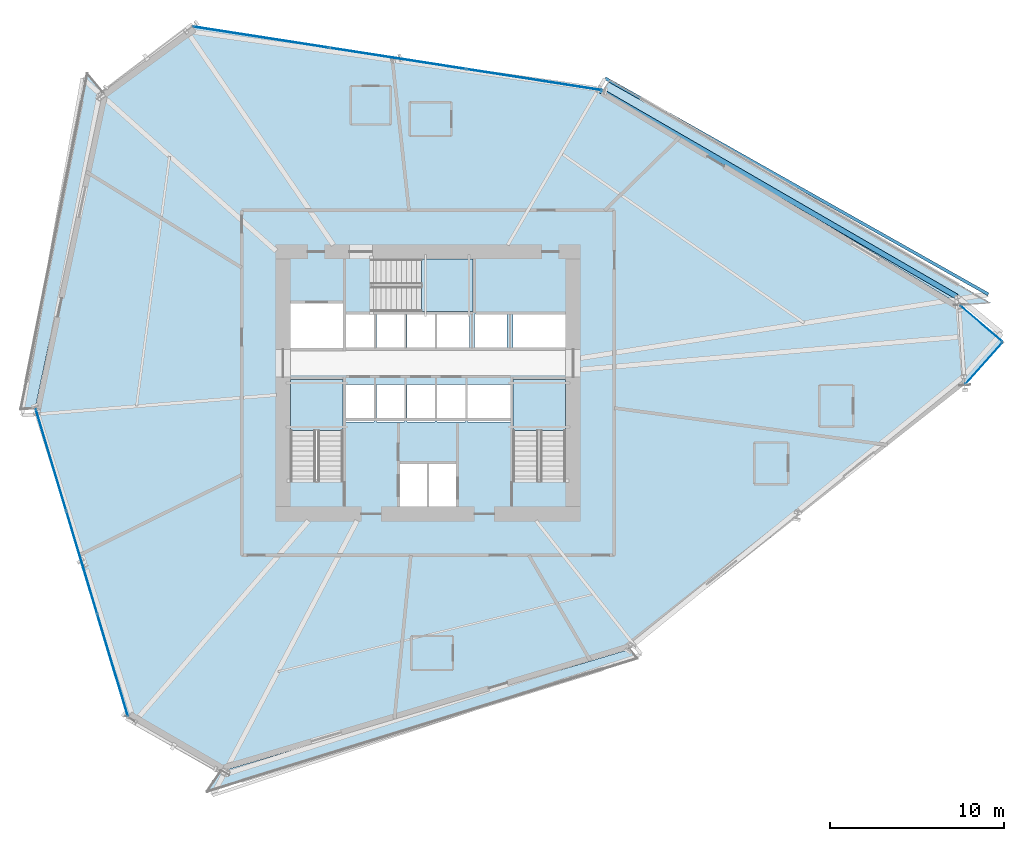
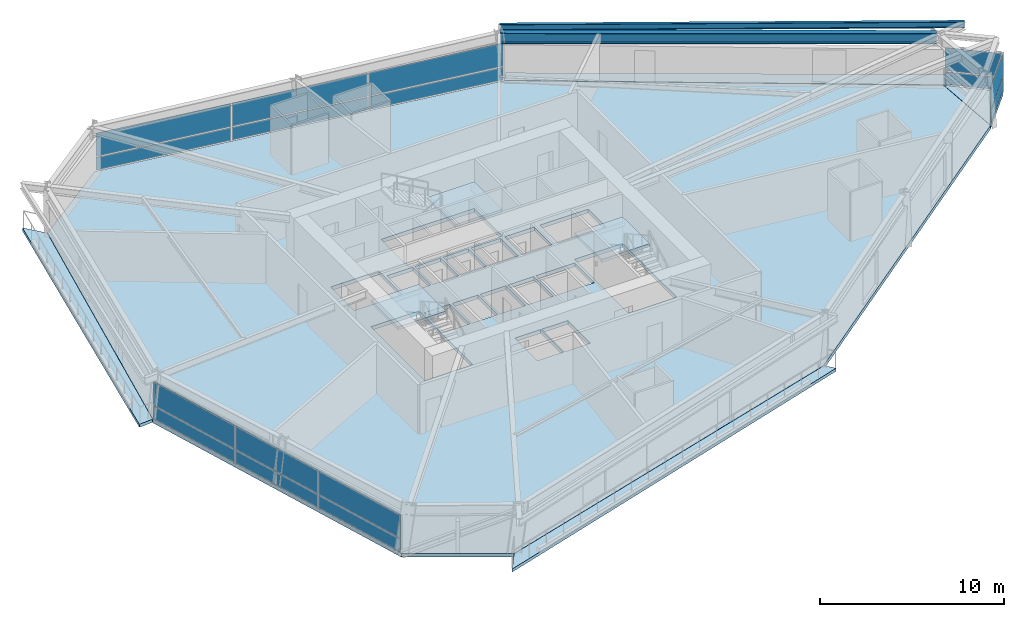
# One storey, part 13 of 22: 16 plates, 8 slabs, 2 beams, 7 elements without a shape of their own.
"""IFC4 building model written with IfcOpenShell, lengths in metres."""

from ifc_helpers import new_model, si_unit, direction, frame, origin, origin_2d, place, context, subcontext, project, spatial, polyline, rectangle, i_section, outline, extrude, source, transform, mapped, material, layer, layer_set, material_profile, profile_set, type_object, element, aggregate, save


model = new_model("IFC4")

# Units and contexts
model_context = context("Model", 3, precision=1e-05, world=origin(), true_north=direction((0.0, 1.0)))
body_context = subcontext(model_context, "Body", "Model", "MODEL_VIEW")
ifc_project = project(units=[si_unit("LENGTHUNIT", "METRE"), si_unit("AREAUNIT", "SQUARE_METRE"), si_unit("VOLUMEUNIT", "CUBIC_METRE"), si_unit("PLANEANGLEUNIT", "RADIAN"), si_unit("MASSUNIT", "GRAM", prefix="KILO")], contexts=[model_context])

# Site, building, storey
site_placement = place(None, origin())
site = spatial("IfcSite", under=ifc_project, at=site_placement, CompositionType="ELEMENT")
building_placement = place(site_placement, origin())
building = spatial("IfcBuilding", under=site, at=building_placement, Name="Olszyna Solenne Hotel", CompositionType="ELEMENT")
storey_placement = place(building_placement, frame((0.0, 0.0, 50.60009765625)))
storey = spatial("IfcBuildingStorey", under=building, at=storey_placement, Name="L12", CompositionType="ELEMENT", Elevation=50.60009765625)

# Beams
ifc_material_1 = material(Name="Steel S355J2", Category="steel")
ifc_material_profile_1 = material_profile(ifc_material_1, i_section(OverallWidth=0.300048828125, OverallDepth=0.699951171875, WebThickness=0.01708984375, FlangeThickness=0.031982421875, at=origin_2d()), Name="HEB 700", Category="load-bearing")
ifc_profile_set_1 = profile_set([ifc_material_profile_1], Name="Steel S355J2")
beam_type_1 = type_object("IfcBeamType", Name="BM-S1", PredefinedType="BEAM", material=ifc_profile_set_1)
shared_shape_1 = source(origin(), body_context, "Body", "SweptSolid", [
    extrude(i_section(OverallWidth=0.300048828125, OverallDepth=0.699951171875, WebThickness=0.01708984375, FlangeThickness=0.031982421875, at=origin_2d()), origin(), (0.0, 0.0, 1.0), 23.71435546875),
])
beam_1_placement = place(storey_placement, frame((68.32763671875, 31.55615234375, 2.949951171875), z_axis=(-0.865631794053, 0.500681133182, 0.0), x_axis=(-0.500681133182, -0.865631794053, 0.0)))
element("IfcBeam", 1, at=beam_1_placement, inside=storey, type_object=beam_type_1, Name="Perimeter spandrel beam BM-S1 B-L12-0378", PredefinedType="BEAM", context=body_context, shape_type="MappedRepresentation", body=[
    mapped(shared_shape_1, transform((0.0, 0.0, 0.0), x_axis=(1.0, 0.0, 0.0), y_axis=(0.0, 1.0, 0.0), z_axis=(0.0, 0.0, 1.0), scale=1.0)),
])
ifc_material_profile_2 = material_profile(ifc_material_1, i_section(OverallWidth=0.179931640625, OverallDepth=0.39990234375, WebThickness=0.008544921875, FlangeThickness=0.013427734375, at=origin_2d()), Name="IPE 400", Category="load-bearing")
ifc_profile_set_2 = profile_set([ifc_material_profile_2], Name="Steel S355J2")
beam_type_2 = type_object("IfcBeamType", Name="BM-F5", PredefinedType="BEAM", material=ifc_profile_set_2)
shared_shape_2 = source(origin(), body_context, "Body", "SweptSolid", [
    extrude(i_section(OverallWidth=0.179931640625, OverallDepth=0.39990234375, WebThickness=0.008544921875, FlangeThickness=0.013427734375, at=origin_2d()), origin(), (0.0, 0.0, 1.0), 25.252197265625),
])
beam_2_placement = place(storey_placement, frame((70.154052734375, 31.678955078125, 3.099853515625), z_axis=(-0.871043913507, 0.49120515138, 0.0), x_axis=(-0.49120515138, -0.871043913507, 0.0)))
element("IfcBeam", 2, at=beam_2_placement, inside=storey, type_object=beam_type_2, Name="Loggia outer edge beam BM-F5 B-L12-0403", PredefinedType="BEAM", context=body_context, shape_type="MappedRepresentation", body=[
    mapped(shared_shape_2, transform((0.0, 0.0, 0.0), x_axis=(1.0, 0.0, 0.0), y_axis=(0.0, 1.0, 0.0), z_axis=(0.0, 0.0, 1.0), scale=1.0)),
])

# Stair, slab
ifc_material_2 = material(Name="Concrete C40/50", Category="concrete")
stair_type = type_object("IfcStairType", Name="STR-C1", PredefinedType="TWO_QUARTER_WINDING_STAIR", material=ifc_material_2)
stair_1_placement = place(storey_placement, origin())
stair_1 = element("IfcStair", 3, at=stair_1_placement, inside=storey, type_object=stair_type, Name="L12 ST1", PredefinedType="TWO_QUARTER_WINDING_STAIR")
ifc_layer_1 = layer(ifc_material_2, 0.18994140625, Name="Concrete C40/50")
ifc_layer_set_1 = layer_set([ifc_layer_1], Name="Concrete C40/50")
slab_type_1 = type_object("IfcSlabType", Name="SL-LN190", PredefinedType="LANDING", material=ifc_layer_set_1)
slab_1_placement = place(storey_placement, frame((0.0, 0.0, 1.574951171875)))
slab_1 = element("IfcSlab", 4, at=slab_1_placement, type_object=slab_type_1, Name="ST1 landing 1", PredefinedType="LANDING", context=body_context, shape_type="SweptSolid", body=[
    extrude(outline(polyline([(33.1201171875, 23.85009765625), (33.1201171875, 26.800048828125), (30.10009765625, 26.800048828125), (30.10009765625, 23.85009765625), (33.1201171875, 23.85009765625)])), origin(), (0.0, 0.0, 1.0), 0.199951171875),
])
aggregate(stair_1, [slab_1])

stair_2_placement = place(storey_placement, origin())
stair_2 = element("IfcStair", 5, at=stair_2_placement, inside=storey, type_object=stair_type, Name="L12 ST2", PredefinedType="TWO_QUARTER_WINDING_STAIR")
slab_2_placement = place(storey_placement, frame((0.0, 0.0, 1.574951171875)))
slab_2 = element("IfcSlab", 6, at=slab_2_placement, type_object=slab_type_1, Name="ST2 landing 1", PredefinedType="LANDING", context=body_context, shape_type="SweptSolid", body=[
    extrude(outline(polyline([(45.89990234375, 23.85009765625), (45.89990234375, 26.800048828125), (42.8798828125, 26.800048828125), (42.8798828125, 23.85009765625), (45.89990234375, 23.85009765625)])), origin(), (0.0, 0.0, 1.0), 0.199951171875),
])
aggregate(stair_2, [slab_2])

stair_3_placement = place(storey_placement, origin())
stair_3 = element("IfcStair", 7, at=stair_3_placement, inside=storey, type_object=stair_type, Name="L12 ST3", PredefinedType="TWO_QUARTER_WINDING_STAIR")
slab_3_placement = place(storey_placement, frame((0.0, 0.0, 1.574951171875)))
slab_3 = element("IfcSlab", 8, at=slab_3_placement, type_object=slab_type_1, Name="ST3 landing 1", PredefinedType="LANDING", context=body_context, shape_type="SweptSolid", body=[
    extrude(outline(polyline([(37.6298828125, 30.679931640625), (40.580078125, 30.679931640625), (40.580078125, 33.699951171875), (37.6298828125, 33.699951171875), (37.6298828125, 30.679931640625)])), origin(), (0.0, 0.0, 1.0), 0.199951171875),
])
aggregate(stair_3, [slab_3])

# Slabs
ifc_material_3 = material(Name="Precast concrete C45/55", Category="concrete")
ifc_layer_2 = layer(ifc_material_3, 0.199951171875, Name="Precast concrete C45/55")
ifc_layer_set_2 = layer_set([ifc_layer_2], Name="Precast concrete C45/55")
slab_type_2 = type_object("IfcSlabType", Name="SL-LOG200", PredefinedType="FLOOR", material=ifc_layer_set_2)
slab_4_placement = place(storey_placement, frame((0.0, 0.0, -0.2001953125)))
element("IfcSlab", 9, at=slab_4_placement, inside=storey, type_object=slab_type_2, Name="Exterior loggia balcony slab SL-L12-LG1", PredefinedType="FLOOR", context=body_context, shape_type="SweptSolid", body=[
    extrude(outline(polyline([(48.05810546875, 43.39453125), (68.503662109375, 31.083740234375), (68.504638671875, 31.0830078125), (68.505615234375, 31.082275390625), (68.51708984375, 31.072265625), (70.2724609375, 31.19580078125), (48.469482421875, 43.999267578125), (48.05810546875, 43.39453125)])), origin(), (0.0, 0.0, 1.0), 0.2001953125),
])
slab_5_placement = place(storey_placement, frame((0.0, 0.0, -0.2001953125)))
element("IfcSlab", 10, at=slab_5_placement, inside=storey, type_object=slab_type_2, Name="Exterior loggia balcony slab SL-L12-LG2", PredefinedType="FLOOR", context=body_context, shape_type="SweptSolid", body=[
    extrude(outline(polyline([(15.457763671875, 25.1494140625), (15.457763671875, 25.150634765625), (15.457763671875, 25.152099609375), (15.4580078125, 25.15380859375), (19.314697265625, 43.29296875), (19.31494140625, 43.29443359375), (19.315673828125, 43.2958984375), (19.31640625, 43.29736328125), (19.317138671875, 43.298583984375), (19.318115234375, 43.2998046875), (19.319091796875, 43.30078125), (19.319580078125, 43.30126953125), (18.392822265625, 44.3994140625), (14.58447265625, 25.088134765625), (15.457763671875, 25.1494140625)])), origin(), (0.0, 0.0, 1.0), 0.2001953125),
])
slab_6_placement = place(storey_placement, frame((0.0, 0.0, -0.2001953125)))
element("IfcSlab", 11, at=slab_6_placement, inside=storey, type_object=slab_type_2, Name="Exterior loggia balcony slab SL-L12-LG3", PredefinedType="FLOOR", context=body_context, shape_type="SweptSolid", body=[
    extrude(outline(polyline([(49.58154296875, 11.30908203125), (49.581298828125, 11.30859375), (49.580078125, 11.307861328125), (49.578857421875, 11.30712890625), (49.577392578125, 11.306640625), (49.576171875, 11.30615234375), (26.113037109375, 4.299072265625), (26.111572265625, 4.298583984375), (26.110107421875, 4.298583984375), (26.1083984375, 4.29833984375), (26.10693359375, 4.298583984375), (26.10546875, 4.298828125), (26.10400390625, 4.29931640625), (26.1025390625, 4.2998046875), (26.101318359375, 4.30029296875), (26.10009765625, 4.301025390625), (25.2685546875, 3.0791015625), (50.0400390625, 10.765625), (49.58154296875, 11.30908203125)])), origin(), (0.0, 0.0, 1.0), 0.2001953125),
])
ifc_material_4 = material(Name="Concrete C50/60", Category="concrete")
ifc_layer_3 = layer(ifc_material_4, 0.25, Name="Concrete C50/60")
ifc_layer_set_3 = layer_set([ifc_layer_3], Name="Concrete C50/60")
slab_type_3 = type_object("IfcSlabType", Name="SL-TW250", PredefinedType="FLOOR", material=ifc_layer_set_3)
slab_7_placement = place(storey_placement, frame((0.0, 0.0, -0.25)))
element("IfcSlab", 12, at=slab_7_placement, inside=storey, type_object=slab_type_3, Name="Floor slab SL-TW250 SL-L12-01", PredefinedType="FLOOR", context=body_context, shape_type="SweptSolid", body=[
    extrude(outline(polyline([(68.79638671875, 26.487548828125), (68.495849609375, 31.07080078125), (48.049560546875, 43.382080078125), (24.46630859375, 47.0498046875), (19.329345703125, 43.289794921875), (15.47265625, 25.150634765625), (20.803466796875, 7.388671875), (26.108642578125, 4.3134765625), (49.572021484375, 11.320556640625), (68.79638671875, 26.487548828125)]), holes=[polyline([(30.10009765625, 20.949951171875), (33.1201171875, 20.949951171875), (33.1201171875, 26.800048828125), (30.10009765625, 26.800048828125), (30.10009765625, 20.949951171875)]), polyline([(42.8798828125, 20.949951171875), (45.89990234375, 20.949951171875), (45.89990234375, 26.800048828125), (42.8798828125, 26.800048828125), (42.8798828125, 20.949951171875)]), polyline([(34.72998046875, 30.679931640625), (40.580078125, 30.679931640625), (40.580078125, 33.699951171875), (34.72998046875, 33.699951171875), (34.72998046875, 30.679931640625)]), polyline([(36.340087890625, 19.5), (37.9599609375, 19.5), (37.9599609375, 21.9599609375), (36.340087890625, 21.9599609375), (36.340087890625, 19.5)]), polyline([(38.0400390625, 19.5), (39.659912109375, 19.5), (39.659912109375, 21.9599609375), (38.0400390625, 21.9599609375), (38.0400390625, 19.5)]), polyline([(30.10009765625, 28.60009765625), (33.1201171875, 28.60009765625), (33.1201171875, 31.159912109375), (30.10009765625, 31.159912109375), (30.10009765625, 28.60009765625)]), polyline([(33.280029296875, 24.360107421875), (34.89990234375, 24.360107421875), (34.89990234375, 26.5), (33.280029296875, 26.5), (33.280029296875, 24.360107421875)]), polyline([(35.030029296875, 24.360107421875), (36.64990234375, 24.360107421875), (36.64990234375, 26.5), (35.030029296875, 26.5), (35.030029296875, 24.360107421875)]), polyline([(36.780029296875, 24.360107421875), (38.39990234375, 24.360107421875), (38.39990234375, 26.5), (36.780029296875, 26.5), (36.780029296875, 24.360107421875)]), polyline([(38.530029296875, 24.360107421875), (40.14990234375, 24.360107421875), (40.14990234375, 26.5), (38.530029296875, 26.5), (38.530029296875, 24.360107421875)]), polyline([(40.280029296875, 24.360107421875), (42.719970703125, 24.360107421875), (42.719970703125, 26.5), (40.280029296875, 26.5), (40.280029296875, 24.360107421875)]), polyline([(33.280029296875, 28.60009765625), (34.89990234375, 28.60009765625), (34.89990234375, 30.550048828125), (33.280029296875, 30.550048828125), (33.280029296875, 28.60009765625)]), polyline([(35.030029296875, 28.60009765625), (36.64990234375, 28.60009765625), (36.64990234375, 30.550048828125), (35.030029296875, 30.550048828125), (35.030029296875, 28.60009765625)]), polyline([(36.780029296875, 28.60009765625), (38.39990234375, 28.60009765625), (38.39990234375, 30.550048828125), (36.780029296875, 30.550048828125), (36.780029296875, 28.60009765625)]), polyline([(38.530029296875, 28.60009765625), (40.389892578125, 28.60009765625), (40.389892578125, 30.550048828125), (38.530029296875, 30.550048828125), (38.530029296875, 28.60009765625)]), polyline([(40.659912109375, 28.60009765625), (42.52001953125, 28.60009765625), (42.52001953125, 30.550048828125), (40.659912109375, 30.550048828125), (40.659912109375, 28.60009765625)]), polyline([(42.8798828125, 28.60009765625), (45.89990234375, 28.60009765625), (45.89990234375, 30.550048828125), (42.8798828125, 30.550048828125), (42.8798828125, 28.60009765625)])]), origin(), (0.0, 0.0, 1.0), 0.25),
])
slab_8_placement = place(storey_placement, frame((0.0, 0.0, -0.25)))
element("IfcSlab", 13, at=slab_8_placement, inside=storey, type_object=slab_type_3, Name="Faceted glass-prism floor slab SL-L12-PR", PredefinedType="FLOOR", context=body_context, shape_type="SweptSolid", body=[
    extrude(outline(polyline([(68.506591796875, 31.061767578125), (68.8056640625, 26.497802734375), (70.9912109375, 28.932861328125), (68.506591796875, 31.061767578125)])), origin(), (0.0, 0.0, 1.0), 0.25),
])

# Curtain wall, plates
ifc_material_5 = material(Name="Anodised bronze aluminium", Category="aluminium")
curtain_wall_type_1 = type_object("IfcCurtainWallType", Name="CW-SYS-2", PredefinedType="NOTDEFINED", material=ifc_material_5)
curtain_wall_1_placement = place(storey_placement, origin())
curtain_wall_1 = element("IfcCurtainWall", 14, at=curtain_wall_1_placement, inside=storey, type_object=curtain_wall_type_1, Name="Unitised curtain wall CW-SYS-2 CW-L12-01", PredefinedType="NOTDEFINED")
ifc_material_6 = material(Name="Terracotta cladding", Category="masonry")
plate_type_1 = type_object("IfcPlateType", Name="PN-SP1", PredefinedType="CURTAIN_PANEL", material=ifc_material_6)
shared_shape_3 = source(origin(), body_context, "Body", "SweptSolid", [
    extrude(rectangle(XDim=6.069091796875, YDim=0.035888671875, at=origin_2d()), origin(), (0.0, 0.0, 1.0), 0.83740234375),
])
plate_1_placement = place(storey_placement, frame((16.366455078125, 22.17236328125, 0.074951171875), z_axis=(0.0, 0.0, 1.0), x_axis=(0.287458205291, -0.957793182379, 0.0)))
plate_1 = element("IfcPlate", 15, at=plate_1_placement, type_object=plate_type_1, Name="Curtain-wall panel PN-SP1 CP-L12-01-01", PredefinedType="CURTAIN_PANEL", context=body_context, shape_type="MappedRepresentation", body=[
    mapped(shared_shape_3, transform((0.0, 0.0, 0.0), x_axis=(1.0, 0.0, 0.0), y_axis=(0.0, 1.0, 0.0), z_axis=(0.0, 0.0, 1.0), scale=1.0)),
])
plate_2_placement = place(storey_placement, frame((19.90966796875, 10.366943359375, 0.074951171875), z_axis=(0.0, 0.0, 1.0), x_axis=(0.287458205291, -0.957793182379, 0.0)))
plate_2 = element("IfcPlate", 16, at=plate_2_placement, type_object=plate_type_1, Name="Curtain-wall panel PN-SP1 CP-L12-01-05", PredefinedType="CURTAIN_PANEL", context=body_context, shape_type="MappedRepresentation", body=[
    mapped(shared_shape_3, transform((0.0, 0.0, 0.0), x_axis=(1.0, 0.0, 0.0), y_axis=(0.0, 1.0, 0.0), z_axis=(0.0, 0.0, 1.0), scale=1.0)),
])
ifc_material_7 = material(Name="Low-E triple glazing", Category="glass")
plate_type_2 = type_object("IfcPlateType", Name="PN-GL1", PredefinedType="CURTAIN_PANEL", material=ifc_material_7)
shared_shape_4 = source(origin(), body_context, "Body", "SweptSolid", [
    extrude(rectangle(XDim=6.069091796875, YDim=0.035888671875, at=origin_2d()), origin(), (0.0, 0.0, 1.0), 1.529541015625),
])
plate_3_placement = place(storey_placement, frame((16.366455078125, 22.17236328125, 0.9873046875), z_axis=(0.0, 0.0, 1.0), x_axis=(0.287458205291, -0.957793182379, 0.0)))
plate_3 = element("IfcPlate", 17, at=plate_3_placement, type_object=plate_type_2, Name="Curtain-wall panel PN-GL1 CP-L12-01-02", PredefinedType="CURTAIN_PANEL", context=body_context, shape_type="MappedRepresentation", body=[
    mapped(shared_shape_4, transform((0.0, 0.0, 0.0), x_axis=(1.0, 0.0, 0.0), y_axis=(0.0, 1.0, 0.0), z_axis=(0.0, 0.0, 1.0), scale=1.0)),
])
plate_4_placement = place(storey_placement, frame((19.90966796875, 10.366943359375, 0.9873046875), z_axis=(0.0, 0.0, 1.0), x_axis=(0.287458205291, -0.957793182379, 0.0)))
plate_4 = element("IfcPlate", 18, at=plate_4_placement, type_object=plate_type_2, Name="Curtain-wall panel PN-GL1 CP-L12-01-06", PredefinedType="CURTAIN_PANEL", context=body_context, shape_type="MappedRepresentation", body=[
    mapped(shared_shape_4, transform((0.0, 0.0, 0.0), x_axis=(1.0, 0.0, 0.0), y_axis=(0.0, 1.0, 0.0), z_axis=(0.0, 0.0, 1.0), scale=1.0)),
])
shared_shape_5 = source(origin(), body_context, "Body", "SweptSolid", [
    extrude(rectangle(XDim=6.1064453125, YDim=0.035888671875, at=origin_2d()), origin(), (0.0, 0.0, 1.0), 0.83740234375),
])
plate_5_placement = place(storey_placement, frame((18.13818359375, 16.26953125, 0.074951171875), z_axis=(0.0, 0.0, 1.0), x_axis=(0.287458205291, -0.957793182379, 0.0)))
plate_5 = element("IfcPlate", 19, at=plate_5_placement, type_object=plate_type_1, Name="Curtain-wall panel PN-SP1 CP-L12-01-03", PredefinedType="CURTAIN_PANEL", context=body_context, shape_type="MappedRepresentation", body=[
    mapped(shared_shape_5, transform((0.0, 0.0, 0.0), x_axis=(1.0, 0.0, 0.0), y_axis=(0.0, 1.0, 0.0), z_axis=(0.0, 0.0, 1.0), scale=1.0)),
])
shared_shape_6 = source(origin(), body_context, "Body", "SweptSolid", [
    extrude(rectangle(XDim=6.1064453125, YDim=0.035888671875, at=origin_2d()), origin(), (0.0, 0.0, 1.0), 1.529541015625),
])
plate_6_placement = place(storey_placement, frame((18.13818359375, 16.26953125, 0.9873046875), z_axis=(0.0, 0.0, 1.0), x_axis=(0.287458205291, -0.957793182379, 0.0)))
plate_6 = element("IfcPlate", 20, at=plate_6_placement, type_object=plate_type_2, Name="Curtain-wall panel PN-GL1 CP-L12-01-04", PredefinedType="CURTAIN_PANEL", context=body_context, shape_type="MappedRepresentation", body=[
    mapped(shared_shape_6, transform((0.0, 0.0, 0.0), x_axis=(1.0, 0.0, 0.0), y_axis=(0.0, 1.0, 0.0), z_axis=(0.0, 0.0, 1.0), scale=1.0)),
])
aggregate(curtain_wall_1, [plate_1, plate_3, plate_5, plate_6, plate_2, plate_4])

curtain_wall_2_placement = place(storey_placement, origin())
curtain_wall_2 = element("IfcCurtainWall", 21, at=curtain_wall_2_placement, inside=storey, type_object=curtain_wall_type_1, Name="Unitised curtain wall CW-SYS-2 CW-L12-02", PredefinedType="NOTDEFINED")
shared_shape_7 = source(origin(), body_context, "Body", "SweptSolid", [
    extrude(rectangle(XDim=7.843017578125, YDim=0.035888671875, at=origin_2d()), origin(), (0.0, 0.0, 1.0), 0.83740234375),
])
plate_7_placement = place(storey_placement, frame((28.415283203125, 46.435546875, 0.074951171875), z_axis=(0.0, 0.0, 1.0), x_axis=(0.98812164418, -0.15367373329, 0.0)))
plate_7 = element("IfcPlate", 22, at=plate_7_placement, type_object=plate_type_1, Name="Curtain-wall panel PN-SP1 CP-L12-02-01", PredefinedType="CURTAIN_PANEL", context=body_context, shape_type="MappedRepresentation", body=[
    mapped(shared_shape_7, transform((0.0, 0.0, 0.0), x_axis=(1.0, 0.0, 0.0), y_axis=(0.0, 1.0, 0.0), z_axis=(0.0, 0.0, 1.0), scale=1.0)),
])
plate_8_placement = place(storey_placement, frame((44.100341796875, 43.996337890625, 0.074951171875), z_axis=(0.0, 0.0, 1.0), x_axis=(0.98812164418, -0.15367373329, 0.0)))
plate_8 = element("IfcPlate", 23, at=plate_8_placement, type_object=plate_type_1, Name="Curtain-wall panel PN-SP1 CP-L12-02-05", PredefinedType="CURTAIN_PANEL", context=body_context, shape_type="MappedRepresentation", body=[
    mapped(shared_shape_7, transform((0.0, 0.0, 0.0), x_axis=(1.0, 0.0, 0.0), y_axis=(0.0, 1.0, 0.0), z_axis=(0.0, 0.0, 1.0), scale=1.0)),
])
shared_shape_8 = source(origin(), body_context, "Body", "SweptSolid", [
    extrude(rectangle(XDim=7.843017578125, YDim=0.035888671875, at=origin_2d()), origin(), (0.0, 0.0, 1.0), 1.529541015625),
])
plate_9_placement = place(storey_placement, frame((28.415283203125, 46.435546875, 0.9873046875), z_axis=(0.0, 0.0, 1.0), x_axis=(0.98812164418, -0.15367373329, 0.0)))
plate_9 = element("IfcPlate", 24, at=plate_9_placement, type_object=plate_type_2, Name="Curtain-wall panel PN-GL1 CP-L12-02-02", PredefinedType="CURTAIN_PANEL", context=body_context, shape_type="MappedRepresentation", body=[
    mapped(shared_shape_8, transform((0.0, 0.0, 0.0), x_axis=(1.0, 0.0, 0.0), y_axis=(0.0, 1.0, 0.0), z_axis=(0.0, 0.0, 1.0), scale=1.0)),
])
plate_10_placement = place(storey_placement, frame((44.100341796875, 43.996337890625, 0.9873046875), z_axis=(0.0, 0.0, 1.0), x_axis=(0.98812164418, -0.15367373329, 0.0)))
plate_10 = element("IfcPlate", 25, at=plate_10_placement, type_object=plate_type_2, Name="Curtain-wall panel PN-GL1 CP-L12-02-06", PredefinedType="CURTAIN_PANEL", context=body_context, shape_type="MappedRepresentation", body=[
    mapped(shared_shape_8, transform((0.0, 0.0, 0.0), x_axis=(1.0, 0.0, 0.0), y_axis=(0.0, 1.0, 0.0), z_axis=(0.0, 0.0, 1.0), scale=1.0)),
])
shared_shape_9 = source(origin(), body_context, "Body", "SweptSolid", [
    extrude(rectangle(XDim=7.880615234375, YDim=0.035888671875, at=origin_2d()), origin(), (0.0, 0.0, 1.0), 0.83740234375),
])
plate_11_placement = place(storey_placement, frame((36.2578125, 45.216064453125, 0.074951171875), z_axis=(0.0, 0.0, 1.0), x_axis=(0.98812164418, -0.15367373329, 0.0)))
plate_11 = element("IfcPlate", 26, at=plate_11_placement, type_object=plate_type_1, Name="Curtain-wall panel PN-SP1 CP-L12-02-03", PredefinedType="CURTAIN_PANEL", context=body_context, shape_type="MappedRepresentation", body=[
    mapped(shared_shape_9, transform((0.0, 0.0, 0.0), x_axis=(1.0, 0.0, 0.0), y_axis=(0.0, 1.0, 0.0), z_axis=(0.0, 0.0, 1.0), scale=1.0)),
])
shared_shape_10 = source(origin(), body_context, "Body", "SweptSolid", [
    extrude(rectangle(XDim=7.880615234375, YDim=0.035888671875, at=origin_2d()), origin(), (0.0, 0.0, 1.0), 1.529541015625),
])
plate_12_placement = place(storey_placement, frame((36.2578125, 45.216064453125, 0.9873046875), z_axis=(0.0, 0.0, 1.0), x_axis=(0.98812164418, -0.15367373329, 0.0)))
plate_12 = element("IfcPlate", 27, at=plate_12_placement, type_object=plate_type_2, Name="Curtain-wall panel PN-GL1 CP-L12-02-04", PredefinedType="CURTAIN_PANEL", context=body_context, shape_type="MappedRepresentation", body=[
    mapped(shared_shape_10, transform((0.0, 0.0, 0.0), x_axis=(1.0, 0.0, 0.0), y_axis=(0.0, 1.0, 0.0), z_axis=(0.0, 0.0, 1.0), scale=1.0)),
])
aggregate(curtain_wall_2, [plate_7, plate_9, plate_11, plate_12, plate_8, plate_10])

# Curtain wall, plate
curtain_wall_type_2 = type_object("IfcCurtainWallType", Name="CW-SYS-5", PredefinedType="NOTDEFINED", material=ifc_material_5)
curtain_wall_3_placement = place(storey_placement, origin())
curtain_wall_3 = element("IfcCurtainWall", 28, at=curtain_wall_3_placement, inside=storey, type_object=curtain_wall_type_2, Name="Unitised curtain wall CW-SYS-5 CW-L12-03", PredefinedType="NOTDEFINED")
plate_type_3 = type_object("IfcPlateType", Name="PN-PR1", PredefinedType="CURTAIN_PANEL", material=ifc_material_7)
shared_shape_11 = source(origin(), body_context, "Body", "SweptSolid", [
    extrude(rectangle(XDim=3.1357421875, YDim=0.028076171875, at=origin_2d()), origin(), (0.0, 0.0, 1.0), 0.83740234375),
])
plate_13_placement = place(storey_placement, frame((69.743408203125, 30.001953125, 0.074951171875), z_axis=(0.0, 0.0, 1.0), x_axis=(0.75938333565, -0.650643488815, 0.0)))
plate_13 = element("IfcPlate", 29, at=plate_13_placement, type_object=plate_type_3, Name="Curtain-wall panel PN-PR1 CP-L12-03-01", PredefinedType="CURTAIN_PANEL", context=body_context, shape_type="MappedRepresentation", body=[
    mapped(shared_shape_11, transform((0.0, 0.0, 0.0), x_axis=(1.0, 0.0, 0.0), y_axis=(0.0, 1.0, 0.0), z_axis=(0.0, 0.0, 1.0), scale=1.0)),
])

curtain_wall_4_placement = place(storey_placement, origin())
curtain_wall_4 = element("IfcCurtainWall", 30, at=curtain_wall_4_placement, inside=storey, type_object=curtain_wall_type_2, Name="Unitised curtain wall CW-SYS-5 CW-L12-04", PredefinedType="NOTDEFINED")
plate_14_placement = place(storey_placement, frame((69.893798828125, 27.710205078125, 0.074951171875), z_axis=(0.0, 0.0, 1.0), x_axis=(0.667928327628, 0.744225603666, 0.0)))
plate_14 = element("IfcPlate", 31, at=plate_14_placement, type_object=plate_type_3, Name="Curtain-wall panel PN-PR1 CP-L12-04-01", PredefinedType="CURTAIN_PANEL", context=body_context, shape_type="MappedRepresentation", body=[
    mapped(shared_shape_11, transform((0.0, 0.0, 0.0), x_axis=(1.0, 0.0, 0.0), y_axis=(0.0, 1.0, 0.0), z_axis=(0.0, 0.0, 1.0), scale=1.0)),
])

# Plate
shared_shape_12 = source(origin(), body_context, "Body", "SweptSolid", [
    extrude(rectangle(XDim=3.1357421875, YDim=0.028076171875, at=origin_2d()), origin(), (0.0, 0.0, 1.0), 1.529541015625),
])
plate_15_placement = place(storey_placement, frame((69.743408203125, 30.001953125, 0.9873046875), z_axis=(0.0, 0.0, 1.0), x_axis=(0.75938333565, -0.650643488815, 0.0)))
plate_15 = element("IfcPlate", 32, at=plate_15_placement, type_object=plate_type_3, Name="Curtain-wall panel PN-PR1 CP-L12-03-02", PredefinedType="CURTAIN_PANEL", context=body_context, shape_type="MappedRepresentation", body=[
    mapped(shared_shape_12, transform((0.0, 0.0, 0.0), x_axis=(1.0, 0.0, 0.0), y_axis=(0.0, 1.0, 0.0), z_axis=(0.0, 0.0, 1.0), scale=1.0)),
])

aggregate(curtain_wall_3, [plate_13, plate_15])

plate_16_placement = place(storey_placement, frame((69.893798828125, 27.710205078125, 0.9873046875), z_axis=(0.0, 0.0, 1.0), x_axis=(0.667928327628, 0.744225603666, 0.0)))
plate_16 = element("IfcPlate", 33, at=plate_16_placement, type_object=plate_type_3, Name="Curtain-wall panel PN-PR1 CP-L12-04-02", PredefinedType="CURTAIN_PANEL", context=body_context, shape_type="MappedRepresentation", body=[
    mapped(shared_shape_12, transform((0.0, 0.0, 0.0), x_axis=(1.0, 0.0, 0.0), y_axis=(0.0, 1.0, 0.0), z_axis=(0.0, 0.0, 1.0), scale=1.0)),
])

aggregate(curtain_wall_4, [plate_14, plate_16])

save(model, "model.ifc")
